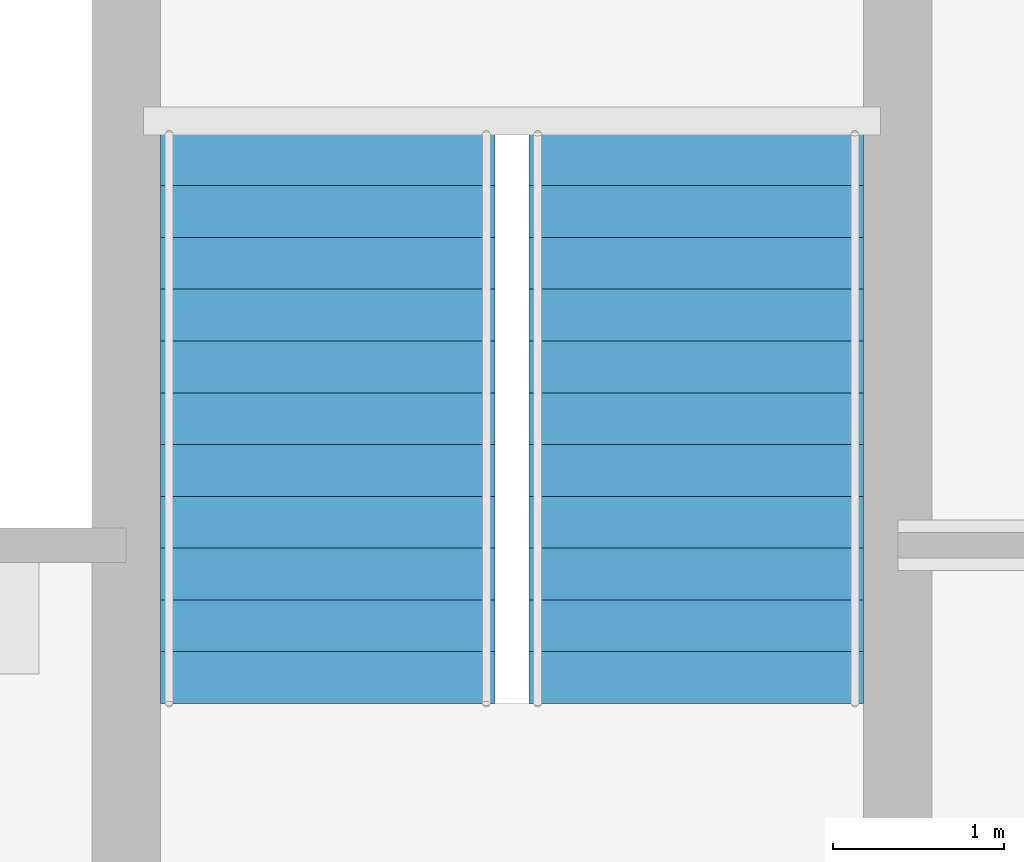
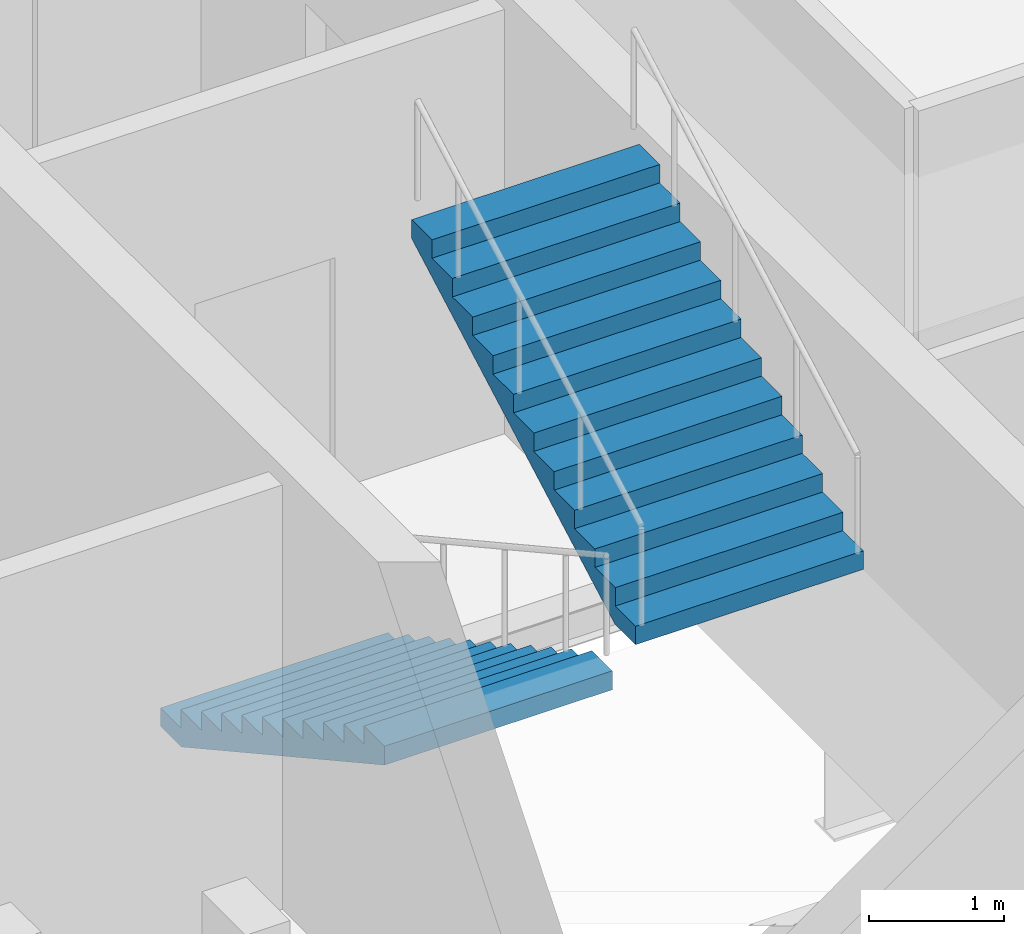
# One storey, part 12 of 14: 2 stair flights, 1 element without a shape of its own.
"""IFC4 building model written with IfcOpenShell, lengths in metres."""

from ifc_helpers import new_model, si_unit, direction, frame, origin, place, context, subcontext, project, spatial, polyline, outline, extrude, material, type_object, element, aggregate, save


model = new_model("IFC4")

# Units and contexts
model_context = context("Model", 3, precision=1e-05, world=origin(), true_north=direction((0.0, 1.0)))
body_context = subcontext(model_context, "Body", "Model", "MODEL_VIEW")
ifc_project = project(units=[si_unit("LENGTHUNIT", "METRE"), si_unit("AREAUNIT", "SQUARE_METRE"), si_unit("VOLUMEUNIT", "CUBIC_METRE"), si_unit("PLANEANGLEUNIT", "RADIAN"), si_unit("MASSUNIT", "GRAM", prefix="KILO")], contexts=[model_context])

# Site, building, storey
site_placement = place(None, origin())
site = spatial("IfcSite", under=ifc_project, at=site_placement, CompositionType="ELEMENT")
building_placement = place(site_placement, origin())
building = spatial("IfcBuilding", under=site, at=building_placement, Name="Corais Broadcast Tower", CompositionType="ELEMENT")
storey_placement = place(building_placement, frame((0.0, 0.0, 250.60009765625)))
storey = spatial("IfcBuildingStorey", under=building, at=storey_placement, Name="L58", CompositionType="ELEMENT", Elevation=250.60009765625)

# Stair, stair flights
ifc_material_1 = material(Name="Concrete C30/37", Category="concrete")
stair_type = type_object("IfcStairType", Name="Half-turn stair 4000", PredefinedType="HALF_TURN_STAIR", material=ifc_material_1)
stair_placement = place(storey_placement, origin())
stair = element("IfcStair", 1, at=stair_placement, inside=storey, type_object=stair_type, Name="Stair B L58", PredefinedType="HALF_TURN_STAIR")
ifc_material_2 = material(Name="Concrete C30/37", Category="concrete")
stair_flight_type = type_object("IfcStairFlightType", Name="Stair flight 4000", PredefinedType="STRAIGHT", material=ifc_material_2)
stair_flight_1_placement = place(storey_placement, frame((37.175048828125, 29.39990234375, 0.0), z_axis=(0.0, 0.0, 1.0), x_axis=(0.0, -1.0, 0.0)))
stair_flight_1 = element("IfcStairFlight", 2, at=stair_flight_1_placement, type_object=stair_flight_type, Name="STB flight 1", NumberOfRisers=12, NumberOfTreads=11, PredefinedType="STRAIGHT", RiserHeight=0.166666667, TreadLength=0.302, context=body_context, shape_type="SweptSolid", body=[
    extrude(outline(polyline([(0.0, 0.0), (0.0, 0.166748046875), (0.302001953125, 0.166748046875), (0.302001953125, 0.333251953125), (0.60400390625, 0.333251953125), (0.60400390625, 0.5), (0.906005859375, 0.5), (0.906005859375, 0.666748046875), (1.2080078125, 0.666748046875), (1.2080078125, 0.833251953125), (1.510009765625, 0.833251953125), (1.510009765625, 1.0), (1.81201171875, 1.0), (1.81201171875, 1.166748046875), (2.114013671875, 1.166748046875), (2.114013671875, 1.333251953125), (2.416015625, 1.333251953125), (2.416015625, 1.5), (2.718017578125, 1.5), (2.718017578125, 1.666748046875), (3.02001953125, 1.666748046875), (3.02001953125, 1.833251953125), (3.322021484375, 1.833251953125), (3.322021484375, 2.0), (3.322021484375, 1.662109375), (0.310302734375, 0.0), (0.0, 0.0)])), frame((0.0, 0.97509765625, 0.0), z_axis=(0.0, -1.0, 0.0), x_axis=(1.0, 0.0, 0.0)), (0.0, 0.0, 1.0), 1.949951171875),
])
stair_flight_2_placement = place(storey_placement, frame((39.324951171875, 26.077880859375, 2.0), z_axis=(0.0, 0.0, 1.0), x_axis=(0.0, 1.0, 0.0)))
stair_flight_2 = element("IfcStairFlight", 3, at=stair_flight_2_placement, type_object=stair_flight_type, Name="STB flight 2", NumberOfRisers=12, NumberOfTreads=11, PredefinedType="STRAIGHT", RiserHeight=0.166666667, TreadLength=0.302, context=body_context, shape_type="SweptSolid", body=[
    extrude(outline(polyline([(0.0, 0.0), (0.0, 0.166748046875), (0.302001953125, 0.166748046875), (0.302001953125, 0.333251953125), (0.60400390625, 0.333251953125), (0.60400390625, 0.5), (0.906005859375, 0.5), (0.906005859375, 0.666748046875), (1.2080078125, 0.666748046875), (1.2080078125, 0.833251953125), (1.510009765625, 0.833251953125), (1.510009765625, 1.0), (1.81201171875, 1.0), (1.81201171875, 1.166748046875), (2.114013671875, 1.166748046875), (2.114013671875, 1.333251953125), (2.416015625, 1.333251953125), (2.416015625, 1.5), (2.718017578125, 1.5), (2.718017578125, 1.666748046875), (3.02001953125, 1.666748046875), (3.02001953125, 1.833251953125), (3.322021484375, 1.833251953125), (3.322021484375, 2.0), (3.322021484375, 1.662109375), (0.310302734375, 0.0), (0.0, 0.0)])), frame((0.0, 0.97509765625, 0.0), z_axis=(0.0, -1.0, 0.0), x_axis=(1.0, 0.0, 0.0)), (0.0, 0.0, 1.0), 1.949951171875),
])
aggregate(stair, [stair_flight_1, stair_flight_2])

save(model, "model.ifc")
